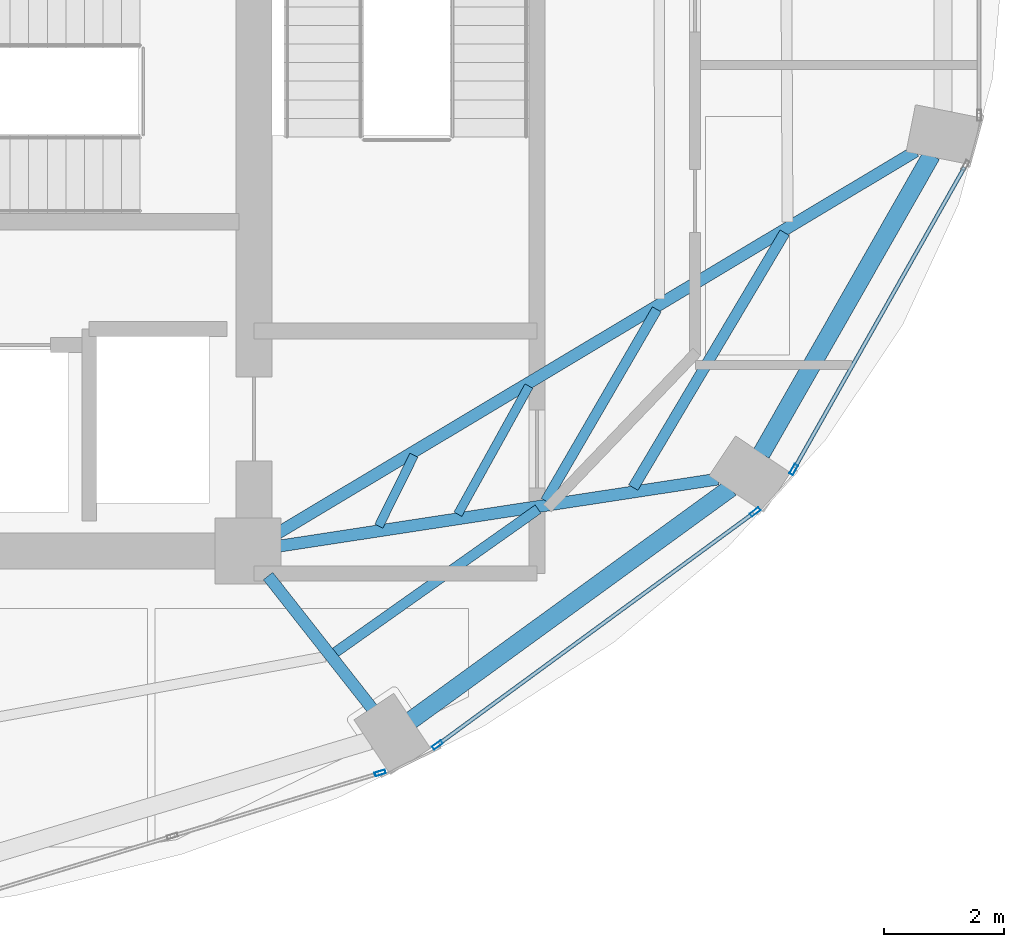
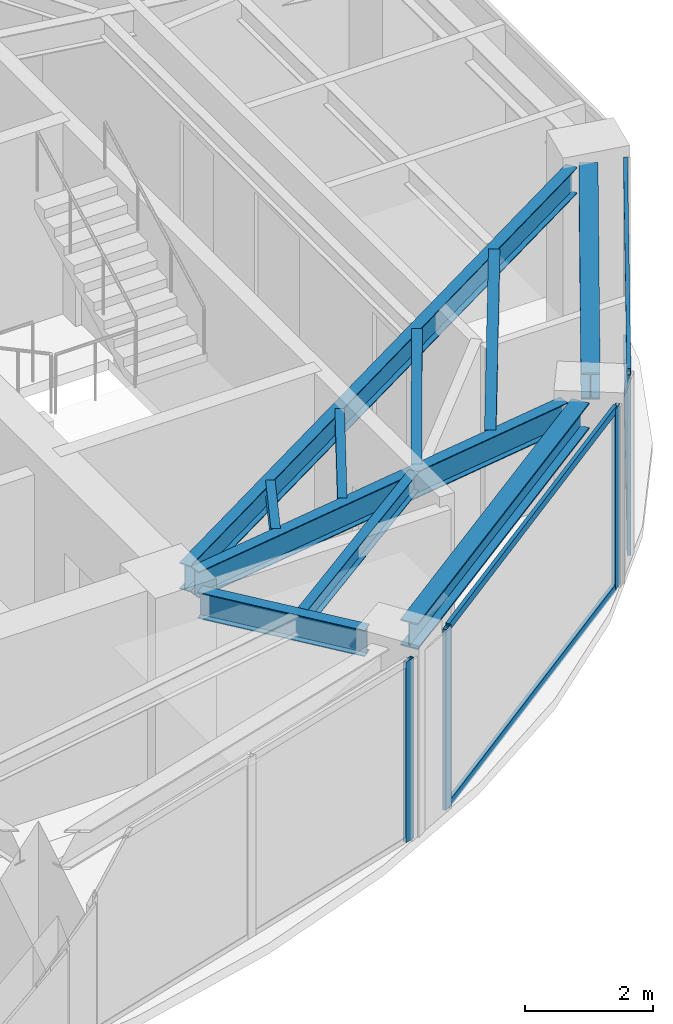
# One storey, part 11 of 21: 10 beams, 8 members, 3 elements without a shape of their own.
"""IFC4 building model written with IfcOpenShell, lengths in metres."""

from ifc_helpers import new_model, si_unit, direction, frame, origin, origin_2d, place, context, subcontext, project, spatial, hollow_rectangle, i_section, extrude, material, layer, layer_set, material_profile, profile_set, type_object, element, aggregate, save


model = new_model("IFC4")

# Units and contexts
model_context = context("Model", 3, precision=1e-05, world=origin(), true_north=direction((0.0, 1.0)))
body_context = subcontext(model_context, "Body", "Model", "MODEL_VIEW")
ifc_project = project(units=[si_unit("LENGTHUNIT", "METRE"), si_unit("AREAUNIT", "SQUARE_METRE"), si_unit("VOLUMEUNIT", "CUBIC_METRE"), si_unit("PLANEANGLEUNIT", "RADIAN"), si_unit("MASSUNIT", "GRAM", prefix="KILO")], contexts=[model_context])

# Site, building, storey
site_placement = place(None, origin())
site = spatial("IfcSite", under=ifc_project, at=site_placement, CompositionType="ELEMENT")
building_placement = place(site_placement, origin())
building = spatial("IfcBuilding", under=site, at=building_placement, Name="Lazwardi Medical Tower", CompositionType="ELEMENT")
storey_placement = place(building_placement, frame((0.0, 0.0, 216.719970703125)))
storey = spatial("IfcBuildingStorey", under=building, at=storey_placement, Name="L56", CompositionType="ELEMENT", Elevation=216.719970703125)

# Beams
ifc_material_1 = material(Name="Steel S355", Category="steel")
ifc_material_profile_1 = material_profile(ifc_material_1, i_section(OverallWidth=0.300048828125, OverallDepth=0.5, WebThickness=0.014404296875, FlangeThickness=0.028076171875, at=origin_2d()), Name="HEB 500")
ifc_profile_set_1 = profile_set([ifc_material_profile_1], Name="Steel S355")
beam_type_1 = type_object("IfcBeamType", Name="BM-RB-Z4", PredefinedType="BEAM", material=ifc_profile_set_1)
beam_1_placement = place(storey_placement, frame((48.31591796875, 17.5751953125, 3.197998046875), z_axis=(0.808889916254, 0.587960120571, 0.0), x_axis=(-0.587960120571, 0.808889916254, 0.0)))
element("IfcBeam", 1, at=beam_1_placement, inside=storey, type_object=beam_type_1, Name="Ring beam RB-05 B02 L56", PredefinedType="BEAM", context=body_context, shape_type="SweptSolid", body=[
    extrude(i_section(OverallWidth=0.300048828125, OverallDepth=0.5, WebThickness=0.014404296875, FlangeThickness=0.028076171875, at=origin_2d()), origin(), (0.0, 0.0, 1.0), 6.587158203125),
])
beam_2_placement = place(storey_placement, frame((54.15283203125, 22.016357421875, 3.197998046875), z_axis=(0.495125273299, 0.868821594886, 0.0), x_axis=(-0.868821594886, 0.495125273299, 0.0)))
element("IfcBeam", 2, at=beam_2_placement, inside=storey, type_object=beam_type_1, Name="Ring beam RB-05 B03 L56", PredefinedType="BEAM", context=body_context, shape_type="SweptSolid", body=[
    extrude(i_section(OverallWidth=0.300048828125, OverallDepth=0.5, WebThickness=0.014404296875, FlangeThickness=0.028076171875, at=origin_2d()), origin(), (0.0, 0.0, 1.0), 5.734130859375),
])
ifc_material_profile_2 = material_profile(ifc_material_1, i_section(OverallWidth=0.199951171875, OverallDepth=0.5, WebThickness=0.01025390625, FlangeThickness=0.01611328125, at=origin_2d()), Name="IPE 500")
ifc_profile_set_2 = profile_set([ifc_material_profile_2], Name="Steel S355")
beam_type_2 = type_object("IfcBeamType", Name="BM-RG-W3", PredefinedType="BEAM", material=ifc_profile_set_2)
beam_3_placement = place(storey_placement, frame((47.669677734375, 17.7666015625, 3.197998046875), z_axis=(-0.617890508382, 0.786264153864, 0.0), x_axis=(-0.786264153864, -0.617890508382, 0.0)))
element("IfcBeam", 3, at=beam_3_placement, inside=storey, type_object=beam_type_2, Name="Radial girder RG-04 R02 L56", PredefinedType="BEAM", context=body_context, shape_type="SweptSolid", body=[
    extrude(i_section(OverallWidth=0.199951171875, OverallDepth=0.5, WebThickness=0.01025390625, FlangeThickness=0.01611328125, at=origin_2d()), origin(), (0.0, 0.0, 1.0), 2.814453125),
])
beam_4_placement = place(storey_placement, frame((53.430908203125, 21.5966796875, 3.197998046875), z_axis=(-0.988522137285, -0.151076087115, 0.0), x_axis=(0.151076087115, -0.988522137285, 0.0)))
element("IfcBeam", 4, at=beam_4_placement, inside=storey, type_object=beam_type_2, Name="Radial girder RG-04 R03 L56", PredefinedType="BEAM", context=body_context, shape_type="SweptSolid", body=[
    extrude(i_section(OverallWidth=0.199951171875, OverallDepth=0.5, WebThickness=0.01025390625, FlangeThickness=0.01611328125, at=origin_2d()), origin(), (0.0, 0.0, 1.0), 7.38671875),
])
beam_5_placement = place(storey_placement, frame((56.72607421875, 27.062255859375, 3.197998046875), z_axis=(-0.857944804603, -0.513741873176, 0.0), x_axis=(0.513741873176, -0.857944804603, 0.0)))
element("IfcBeam", 5, at=beam_5_placement, inside=storey, type_object=beam_type_2, Name="Radial girder RG-04 R04 L56", PredefinedType="BEAM", context=body_context, shape_type="SweptSolid", body=[
    extrude(i_section(OverallWidth=0.199951171875, OverallDepth=0.5, WebThickness=0.01025390625, FlangeThickness=0.01611328125, at=origin_2d()), origin(), (0.0, 0.0, 1.0), 12.43310546875),
])
ifc_material_profile_3 = material_profile(ifc_material_1, i_section(OverallWidth=0.179931640625, OverallDepth=0.39990234375, WebThickness=0.008544921875, FlangeThickness=0.013427734375, at=origin_2d()), Name="IPE 400")
ifc_profile_set_3 = profile_set([ifc_material_profile_3], Name="Steel S355")
beam_type_3 = type_object("IfcBeamType", Name="BM-SJ-01", PredefinedType="JOIST", material=ifc_profile_set_3)
beam_6_placement = place(storey_placement, frame((52.01904296875, 21.455078125, 3.248046875), z_axis=(0.510967866251, 0.859599813668, 0.0), x_axis=(-0.859599813668, 0.510967866251, 0.0)))
element("IfcBeam", 6, at=beam_6_placement, inside=storey, type_object=beam_type_3, Name="Secondary joist SJ-01 R1 B03 L56", PredefinedType="JOIST", context=body_context, shape_type="SweptSolid", body=[
    extrude(i_section(OverallWidth=0.179931640625, OverallDepth=0.39990234375, WebThickness=0.008544921875, FlangeThickness=0.013427734375, at=origin_2d()), origin(), (0.0, 0.0, 1.0), 4.94189453125),
])
ifc_material_profile_4 = material_profile(ifc_material_1, i_section(OverallWidth=0.169921875, OverallDepth=0.360107421875, WebThickness=0.008056640625, FlangeThickness=0.0126953125, at=origin_2d()), Name="IPE 360")
ifc_profile_set_4 = profile_set([ifc_material_profile_4], Name="Steel S355")
beam_type_4 = type_object("IfcBeamType", Name="BM-SJ-02", PredefinedType="JOIST", material=ifc_profile_set_4)
beam_7_placement = place(storey_placement, frame((47.051513671875, 18.70654296875, 3.26806640625), z_axis=(0.816711190406, 0.577046645832, 0.0), x_axis=(-0.577046645832, 0.816711190406, 0.0)))
element("IfcBeam", 7, at=beam_7_placement, inside=storey, type_object=beam_type_4, Name="Secondary joist SJ-02 R2 B02 L56", PredefinedType="JOIST", context=body_context, shape_type="SweptSolid", body=[
    extrude(i_section(OverallWidth=0.169921875, OverallDepth=0.360107421875, WebThickness=0.008056640625, FlangeThickness=0.0126953125, at=origin_2d()), origin(), (0.0, 0.0, 1.0), 4.139892578125),
])
beam_8_placement = place(storey_placement, frame((50.5576171875, 21.232421875, 3.26806640625), z_axis=(0.50218018565, 0.864763008657, 0.0), x_axis=(-0.864763008657, 0.50218018565, 0.0)))
element("IfcBeam", 8, at=beam_8_placement, inside=storey, type_object=beam_type_4, Name="Secondary joist SJ-02 R2 B03 L56", PredefinedType="JOIST", context=body_context, shape_type="SweptSolid", body=[
    extrude(i_section(OverallWidth=0.169921875, OverallDepth=0.360107421875, WebThickness=0.008056640625, FlangeThickness=0.0126953125, at=origin_2d()), origin(), (0.0, 0.0, 1.0), 3.69189453125),
])
ifc_material_profile_5 = material_profile(ifc_material_1, i_section(OverallWidth=0.14990234375, OverallDepth=0.300048828125, WebThickness=0.007080078125, FlangeThickness=0.0107421875, at=origin_2d()), Name="IPE 300")
ifc_profile_set_5 = profile_set([ifc_material_profile_5], Name="Steel S355")
beam_type_5 = type_object("IfcBeamType", Name="BM-SJ-03", PredefinedType="JOIST", material=ifc_profile_set_5)
beam_9_placement = place(storey_placement, frame((49.095703125, 21.01025390625, 3.298095703125), z_axis=(0.484751625998, 0.874651851363, 0.0), x_axis=(-0.874651851363, 0.484751625998, 0.0)))
element("IfcBeam", 9, at=beam_9_placement, inside=storey, type_object=beam_type_5, Name="Secondary joist SJ-03 R3 B03 L56", PredefinedType="JOIST", context=body_context, shape_type="SweptSolid", body=[
    extrude(i_section(OverallWidth=0.14990234375, OverallDepth=0.300048828125, WebThickness=0.007080078125, FlangeThickness=0.0107421875, at=origin_2d()), origin(), (0.0, 0.0, 1.0), 2.442626953125),
])
beam_10_placement = place(storey_placement, frame((47.777587890625, 20.811279296875, 3.298095703125), z_axis=(0.443587297772, 0.89623116954, 0.0), x_axis=(-0.89623116954, 0.443587297772, 0.0)))
element("IfcBeam", 10, at=beam_10_placement, inside=storey, type_object=beam_type_5, Name="Secondary joist SJ-03 R4 B03 L56", PredefinedType="JOIST", context=body_context, shape_type="SweptSolid", body=[
    extrude(i_section(OverallWidth=0.14990234375, OverallDepth=0.300048828125, WebThickness=0.007080078125, FlangeThickness=0.0107421875, at=origin_2d()), origin(), (0.0, 0.0, 1.0), 1.32080078125),
])

# Curtain wall, member
ifc_material_2 = material(Name="Anodised bronze aluminium and solar control glazing", Category="aluminium")
ifc_layer = layer(ifc_material_2, 0.18994140625)
ifc_layer_set = layer_set([ifc_layer], Name="Anodised bronze aluminium and solar control glazing")
curtain_wall_type = type_object("IfcCurtainWallType", Name="CW-SYS-04", PredefinedType="NOTDEFINED", material=ifc_layer_set)
curtain_wall_1_placement = place(storey_placement, origin())
curtain_wall_1 = element("IfcCurtainWall", 11, at=curtain_wall_1_placement, inside=storey, type_object=curtain_wall_type, Name="L56 Unitised bronze curtain wall CW-04", PredefinedType="NOTDEFINED")
ifc_material_3 = material(Name="Anodised bronze aluminium", Category="aluminium")
ifc_material_profile_6 = material_profile(ifc_material_3, hollow_rectangle(XDim=0.06494140625, YDim=0.179931640625, WallThickness=0.00390625, at=origin_2d()), Name="ALU-MULLION 180x65x4")
ifc_profile_set_6 = profile_set([ifc_material_profile_6], Name="Anodised bronze aluminium")
member_type_1 = type_object("IfcMemberType", Name="CW-MUL-03", PredefinedType="MULLION", material=ifc_profile_set_6)
member_1_placement = place(storey_placement, frame((47.7998046875, 16.696533203125, 0.0), z_axis=(0.0, 0.0, 1.0), x_axis=(-0.290581889515, 0.956850126972, 0.0)))
member_1 = element("IfcMember", 12, at=member_1_placement, type_object=member_type_1, Name="CW-04 mullion 3", PredefinedType="MULLION", context=body_context, shape_type="SweptSolid", body=[
    extrude(hollow_rectangle(XDim=0.06494140625, YDim=0.179931640625, WallThickness=0.00390625, at=origin_2d()), origin(), (0.0, 0.0, 1.0), 3.447998046875),
])
aggregate(curtain_wall_1, [member_1])

# Curtain wall, members
curtain_wall_2_placement = place(storey_placement, origin())
curtain_wall_2 = element("IfcCurtainWall", 13, at=curtain_wall_2_placement, inside=storey, type_object=curtain_wall_type, Name="L56 Unitised bronze curtain wall CW-04", PredefinedType="NOTDEFINED")
member_2_placement = place(storey_placement, frame((48.75537109375, 17.1650390625, 0.0), z_axis=(0.0, 0.0, 1.0), x_axis=(-0.591268230971, 0.806474971121, 0.0)))
member_2 = element("IfcMember", 14, at=member_2_placement, type_object=member_type_1, Name="CW-04 mullion 1", PredefinedType="MULLION", context=body_context, shape_type="SweptSolid", body=[
    extrude(hollow_rectangle(XDim=0.06494140625, YDim=0.179931640625, WallThickness=0.00390625, at=origin_2d()), origin(), (0.0, 0.0, 1.0), 3.447998046875),
])
member_3_placement = place(storey_placement, frame((54.052001953125, 21.04833984375, 0.0), z_axis=(0.0, 0.0, 1.0), x_axis=(-0.591268230971, 0.806474971121, 0.0)))
member_3 = element("IfcMember", 15, at=member_3_placement, type_object=member_type_1, Name="CW-04 mullion 2", PredefinedType="MULLION", context=body_context, shape_type="SweptSolid", body=[
    extrude(hollow_rectangle(XDim=0.06494140625, YDim=0.179931640625, WallThickness=0.00390625, at=origin_2d()), origin(), (0.0, 0.0, 1.0), 3.447998046875),
])

# Curtain wall, member
curtain_wall_3_placement = place(storey_placement, origin())
curtain_wall_3 = element("IfcCurtainWall", 16, at=curtain_wall_3_placement, inside=storey, type_object=curtain_wall_type, Name="L56 Unitised bronze curtain wall CW-04", PredefinedType="NOTDEFINED")
member_4_placement = place(storey_placement, frame((54.6943359375, 21.75439453125, 0.0), z_axis=(0.0, 0.0, 1.0), x_axis=(-0.870651436011, 0.491900474661, 0.0)))
member_4 = element("IfcMember", 17, at=member_4_placement, type_object=member_type_1, Name="CW-04 mullion 1", PredefinedType="MULLION", context=body_context, shape_type="SweptSolid", body=[
    extrude(hollow_rectangle(XDim=0.06494140625, YDim=0.179931640625, WallThickness=0.00390625, at=origin_2d()), origin(), (0.0, 0.0, 1.0), 3.447998046875),
])

# Member
ifc_material_profile_7 = material_profile(ifc_material_3, hollow_rectangle(XDim=0.06494140625, YDim=0.139892578125, WallThickness=0.00341796875, at=origin_2d()), Name="ALU-TRANSOM 140x65x3.5")
ifc_profile_set_7 = profile_set([ifc_material_profile_7], Name="Anodised bronze aluminium")
member_type_2 = type_object("IfcMemberType", Name="CW-TRN-03", PredefinedType="USERDEFINED", material=ifc_profile_set_7)
member_5_placement = place(storey_placement, frame((48.781494140625, 17.184326171875, 0.032470703125), z_axis=(0.80648973359, 0.591248094808, 0.0), x_axis=(-0.591248094808, 0.80648973359, 0.0)))
member_5 = element("IfcMember", 18, at=member_5_placement, type_object=member_type_2, Name="CW-04 transom 1.1", ObjectType="TRANSOM", PredefinedType="USERDEFINED", context=body_context, shape_type="SweptSolid", body=[
    extrude(hollow_rectangle(XDim=0.06494140625, YDim=0.139892578125, WallThickness=0.00341796875, at=origin_2d()), origin(), (0.0, 0.0, 1.0), 6.502685546875),
])

member_6_placement = place(storey_placement, frame((48.781494140625, 17.184326171875, 3.41552734375), z_axis=(0.80648973359, 0.591248094808, 0.0), x_axis=(-0.591248094808, 0.80648973359, 0.0)))
member_6 = element("IfcMember", 19, at=member_6_placement, type_object=member_type_2, Name="CW-04 transom 1.2", ObjectType="TRANSOM", PredefinedType="USERDEFINED", context=body_context, shape_type="SweptSolid", body=[
    extrude(hollow_rectangle(XDim=0.06494140625, YDim=0.139892578125, WallThickness=0.00341796875, at=origin_2d()), origin(), (0.0, 0.0, 1.0), 6.502685546875),
])

aggregate(curtain_wall_2, [member_2, member_3, member_5, member_6])

member_7_placement = place(storey_placement, frame((54.71044921875, 21.78271484375, 0.032470703125), z_axis=(0.491879719484, 0.87066316194, 0.0), x_axis=(-0.87066316194, 0.491879719484, 0.0)))
member_7 = element("IfcMember", 20, at=member_7_placement, type_object=member_type_2, Name="CW-04 transom 1.1", ObjectType="TRANSOM", PredefinedType="USERDEFINED", context=body_context, shape_type="SweptSolid", body=[
    extrude(hollow_rectangle(XDim=0.06494140625, YDim=0.139892578125, WallThickness=0.00341796875, at=origin_2d()), origin(), (0.0, 0.0, 1.0), 5.755126953125),
])

member_8_placement = place(storey_placement, frame((54.71044921875, 21.78271484375, 3.41552734375), z_axis=(0.491879719484, 0.87066316194, 0.0), x_axis=(-0.87066316194, 0.491879719484, 0.0)))
member_8 = element("IfcMember", 21, at=member_8_placement, type_object=member_type_2, Name="CW-04 transom 1.2", ObjectType="TRANSOM", PredefinedType="USERDEFINED", context=body_context, shape_type="SweptSolid", body=[
    extrude(hollow_rectangle(XDim=0.06494140625, YDim=0.139892578125, WallThickness=0.00341796875, at=origin_2d()), origin(), (0.0, 0.0, 1.0), 5.755126953125),
])

aggregate(curtain_wall_3, [member_4, member_7, member_8])

save(model, "model.ifc")
